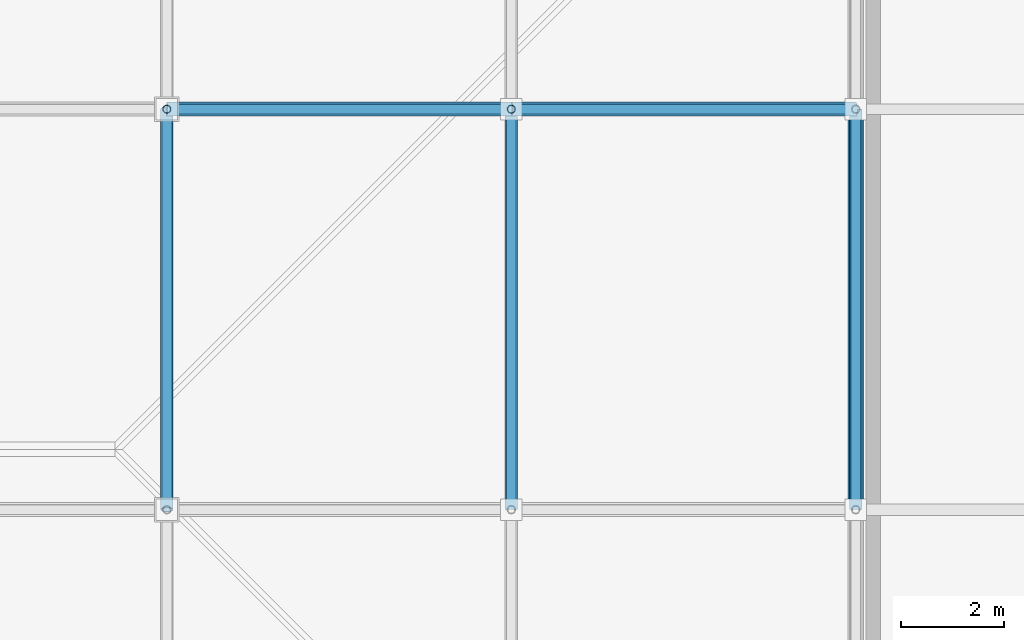
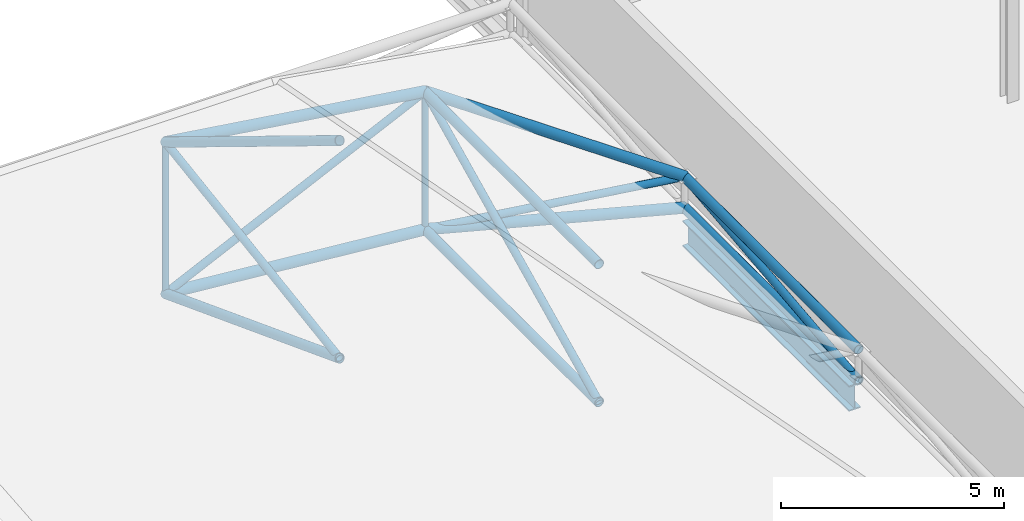
# One storey, part 35 of 77: 17 members, 1 beam.
"""IFC4 building model written with IfcOpenShell, lengths in metres."""

from ifc_helpers import new_model, si_unit, direction, frame, origin, origin_2d, place, context, subcontext, project, spatial, hollow_circle, i_section, extrude, material, material_profile, profile_set, type_object, element, save


model = new_model("IFC4")

# Units and contexts
model_context = context("Model", 3, precision=1e-05, world=origin(), true_north=direction((0.0, 1.0)))
body_context = subcontext(model_context, "Body", "Model", "MODEL_VIEW")
ifc_project = project(units=[si_unit("LENGTHUNIT", "METRE"), si_unit("AREAUNIT", "SQUARE_METRE"), si_unit("VOLUMEUNIT", "CUBIC_METRE"), si_unit("PLANEANGLEUNIT", "RADIAN"), si_unit("MASSUNIT", "GRAM", prefix="KILO")], contexts=[model_context])

# Site, building, storey
site_placement = place(None, origin())
site = spatial("IfcSite", under=ifc_project, at=site_placement, CompositionType="ELEMENT")
building_placement = place(site_placement, origin())
building = spatial("IfcBuilding", under=site, at=building_placement, Name="Nabrawat Pavilion Hospital", CompositionType="ELEMENT")
storey_placement = place(building_placement, frame((0.0, 0.0, 14.85009765625)))
storey = spatial("IfcBuildingStorey", under=building, at=storey_placement, Name="L03", CompositionType="ELEMENT", Elevation=14.85009765625)

# Beam
ifc_material = material(Name="Steel S355", Category="steel")
ifc_material_profile_1 = material_profile(ifc_material, i_section(OverallWidth=0.300048828125, OverallDepth=0.699951171875, WebThickness=0.01708984375, FlangeThickness=0.031982421875, FilletRadius=0.027099609375, at=origin_2d()), Name="HEB 700")
ifc_profile_set_1 = profile_set([ifc_material_profile_1], Name="Steel S355")
beam_type = type_object("IfcBeamType", Name="Main Hall Space-Frame Perimeter Ring Girder HEB 700", PredefinedType="USERDEFINED", material=ifc_profile_set_1)
beam_placement = place(storey_placement, frame((126.0, 23.5732421875, -0.60009765625), z_axis=(0.0, 1.0, 0.0), x_axis=(-1.0, 0.0, 0.0)))
element("IfcBeam", 1, at=beam_placement, inside=storey, type_object=beam_type, Name="L03 Main Hall Space-Frame Perimeter Ring Girder 1627", ObjectType="GIRDER", PredefinedType="USERDEFINED", context=body_context, shape_type="SweptSolid", body=[
    extrude(i_section(OverallWidth=0.300048828125, OverallDepth=0.699951171875, WebThickness=0.01708984375, FlangeThickness=0.031982421875, FilletRadius=0.027099609375, at=origin_2d()), origin(), (0.0, 0.0, 1.0), 7.45361328125),
])

# Members
ifc_material_profile_2 = material_profile(ifc_material, hollow_circle(Radius=0.136474609375, WallThickness=0.012451171875, at=origin_2d()), Name="CHS 273x12.5")
ifc_profile_set_2 = profile_set([ifc_material_profile_2], Name="Steel S355")
member_type_1 = type_object("IfcMemberType", Name="Space Frame Primary Chord CHS 273x12.5", PredefinedType="CHORD", material=ifc_profile_set_2)
member_1_placement = place(storey_placement, frame((112.583984375, 31.199951171875, 6.432861328125), z_axis=(0.989975419002, 0.0, -0.141239759881), x_axis=(0.0, 1.0, 0.0)))
element("IfcMember", 2, at=member_1_placement, inside=storey, type_object=member_type_1, Name="Space Frame Chord Top X 0215", PredefinedType="CHORD", context=body_context, shape_type="SweptSolid", body=[
    extrude(hollow_circle(Radius=0.136474609375, WallThickness=0.012451171875, at=origin_2d()), origin(), (0.0, 0.0, 1.0), 6.77587890625),
])
member_2_placement = place(storey_placement, frame((112.583984375, 31.199951171875, 2.298583984375), z_axis=(0.996108722562, 0.0, -0.088132927084), x_axis=(0.0, 1.0, 0.0)))
element("IfcMember", 3, at=member_2_placement, inside=storey, type_object=member_type_1, Name="Space Frame Chord Bottom X 0216", PredefinedType="CHORD", context=body_context, shape_type="SweptSolid", body=[
    extrude(hollow_circle(Radius=0.136474609375, WallThickness=0.012451171875, at=origin_2d()), origin(), (0.0, 0.0, 1.0), 6.734130859375),
])
member_3_placement = place(storey_placement, frame((119.2919921875, 31.199951171875, 5.475830078125), z_axis=(0.820355297851, 0.0, -0.571854164352), x_axis=(0.0, 1.0, 0.0)))
element("IfcMember", 4, at=member_3_placement, inside=storey, type_object=member_type_1, Name="Space Frame Chord Top X 0240", PredefinedType="CHORD", context=body_context, shape_type="SweptSolid", body=[
    extrude(hollow_circle(Radius=0.136474609375, WallThickness=0.012451171875, at=origin_2d()), origin(), (0.0, 0.0, 1.0), 8.177001953125),
])
member_4_placement = place(storey_placement, frame((119.2919921875, 31.199951171875, 1.705078125), z_axis=(0.967433425259, 0.0, -0.253125596673), x_axis=(0.0, 1.0, 0.0)))
element("IfcMember", 5, at=member_4_placement, inside=storey, type_object=member_type_1, Name="Space Frame Chord Bottom X 0241", PredefinedType="CHORD", context=body_context, shape_type="SweptSolid", body=[
    extrude(hollow_circle(Radius=0.136474609375, WallThickness=0.012451171875, at=origin_2d()), origin(), (0.0, 0.0, 1.0), 6.933837890625),
])
ifc_material_profile_3 = material_profile(ifc_material, hollow_circle(Radius=0.096923828125, WallThickness=0.010009765625, at=origin_2d()), Name="CHS 193.7x10")
ifc_profile_set_3 = profile_set([ifc_material_profile_3], Name="Steel S355")
member_type_2 = type_object("IfcMemberType", Name="Space Frame Primary Diagonal CHS 193.7x10", PredefinedType="BRACE", material=ifc_profile_set_3)
member_5_placement = place(storey_placement, frame((112.583984375, 23.39990234375, 5.260498046875), z_axis=(0.0, 0.988892492278, 0.148632562769), x_axis=(-1.0, 0.0, 0.0)))
element("IfcMember", 6, at=member_5_placement, inside=storey, type_object=member_type_2, Name="Space Frame Diagonal Web Y 0214", PredefinedType="BRACE", context=body_context, shape_type="SweptSolid", body=[
    extrude(hollow_circle(Radius=0.096923828125, WallThickness=0.010009765625, at=origin_2d()), origin(), (0.0, 0.0, 1.0), 7.8876953125),
])
member_6_placement = place(storey_placement, frame((112.583984375, 31.199951171875, 2.298583984375), z_axis=(0.903749894098, 0.0, 0.428060893936), x_axis=(0.0, 1.0, 0.0)))
element("IfcMember", 7, at=member_6_placement, inside=storey, type_object=member_type_2, Name="Space Frame Diagonal Web X 0220", PredefinedType="BRACE", context=body_context, shape_type="SweptSolid", body=[
    extrude(hollow_circle(Radius=0.096923828125, WallThickness=0.010009765625, at=origin_2d()), origin(), (0.0, 0.0, 1.0), 7.42236328125),
])
member_7_placement = place(storey_placement, frame((119.2919921875, 23.39990234375, 1.705078125), z_axis=(0.0, 0.900316011449, 0.435236808564), x_axis=(-1.0, 0.0, 0.0)))
element("IfcMember", 8, at=member_7_placement, inside=storey, type_object=member_type_2, Name="Space Frame Diagonal Web Y 0239", PredefinedType="BRACE", context=body_context, shape_type="SweptSolid", body=[
    extrude(hollow_circle(Radius=0.096923828125, WallThickness=0.010009765625, at=origin_2d()), origin(), (0.0, 0.0, 1.0), 8.66357421875),
])
member_8_placement = place(storey_placement, frame((119.2919921875, 31.199951171875, 1.705078125), z_axis=(0.991016218885, 0.0, -0.133741743326), x_axis=(0.0, 1.0, 0.0)))
element("IfcMember", 9, at=member_8_placement, inside=storey, type_object=member_type_2, Name="Space Frame Diagonal Web X 0245", PredefinedType="BRACE", context=body_context, shape_type="SweptSolid", body=[
    extrude(hollow_circle(Radius=0.096923828125, WallThickness=0.010009765625, at=origin_2d()), origin(), (0.0, 0.0, 1.0), 6.768798828125),
])
member_9_placement = place(storey_placement, frame((126.0, 23.39990234375, -0.050048828125), z_axis=(0.0, 0.994116744553, 0.108313887376), x_axis=(-1.0, 0.0, 0.0)))
element("IfcMember", 10, at=member_9_placement, inside=storey, type_object=member_type_2, Name="Space Frame Diagonal Web Y 0258", PredefinedType="BRACE", context=body_context, shape_type="SweptSolid", body=[
    extrude(hollow_circle(Radius=0.096923828125, WallThickness=0.010009765625, at=origin_2d()), origin(), (0.0, 0.0, 1.0), 7.84619140625),
])
ifc_material_profile_4 = material_profile(ifc_material, hollow_circle(Radius=0.122314453125, WallThickness=0.012451171875, at=origin_2d()), Name="CHS 244.5x12.5")
ifc_profile_set_4 = profile_set([ifc_material_profile_4], Name="Steel S355")
member_type_3 = type_object("IfcMemberType", Name="Space Frame Transverse Chord CHS 244.5x12.5", PredefinedType="CHORD", material=ifc_profile_set_4)
member_10_placement = place(storey_placement, frame((112.583984375, 23.39990234375, 11.2099609375), z_axis=(0.0, 0.852775367849, -0.522277868562), x_axis=(-1.0, 0.0, 0.0)))
element("IfcMember", 11, at=member_10_placement, inside=storey, type_object=member_type_3, Name="Space Frame Chord Top Y 0210", PredefinedType="CHORD", context=body_context, shape_type="SweptSolid", body=[
    extrude(hollow_circle(Radius=0.122314453125, WallThickness=0.012451171875, at=origin_2d()), origin(), (0.0, 0.0, 1.0), 9.146728515625),
])
member_11_placement = place(storey_placement, frame((112.583984375, 23.39990234375, 5.260498046875), z_axis=(0.0, 0.934867308635, -0.354997345406), x_axis=(-1.0, 0.0, 0.0)))
element("IfcMember", 12, at=member_11_placement, inside=storey, type_object=member_type_3, Name="Space Frame Chord Bottom Y 0211", PredefinedType="CHORD", context=body_context, shape_type="SweptSolid", body=[
    extrude(hollow_circle(Radius=0.122314453125, WallThickness=0.012451171875, at=origin_2d()), origin(), (0.0, 0.0, 1.0), 8.343505859375),
])
for number, where, z_axis, x_axis, name in (
    (13, (119.2919921875, 23.39990234375, 5.475830078125), (0.0, 1.0, 0.0), (-1.0, 0.0, 0.0), "Space Frame Chord Top Y 0235"),
    (14, (119.2919921875, 23.39990234375, 1.705078125), (0.0, 1.0, 0.0), (-1.0, 0.0, 0.0), "Space Frame Chord Bottom Y 0236"),
    (15, (126.0, 23.39990234375, 0.7998046875), (0.0, 1.0, 0.0), (-1.0, 0.0, 0.0), "Space Frame Chord Top Y 0255"),
    (16, (126.0, 23.39990234375, -0.050048828125), (0.0, 1.0, 0.0), (-1.0, 0.0, 0.0), "Space Frame Chord Bottom Y 0256"),
):
    element("IfcMember", number, at=place(storey_placement, frame(where, z_axis=z_axis, x_axis=x_axis)), inside=storey, type_object=member_type_3, Name=name, PredefinedType="CHORD", context=body_context, shape_type="SweptSolid", body=[
        extrude(hollow_circle(Radius=0.122314453125, WallThickness=0.012451171875, at=origin_2d()), origin(), (0.0, 0.0, 1.0), 7.800048828125),
    ])
ifc_material_profile_5 = material_profile(ifc_material, hollow_circle(Radius=0.07958984375, WallThickness=0.008056640625, at=origin_2d()), Name="CHS 159x8")
ifc_profile_set_5 = profile_set([ifc_material_profile_5], Name="Steel S355")
member_type_4 = type_object("IfcMemberType", Name="Space Frame Vertical Web Post CHS 159x8", PredefinedType="BRACE", material=ifc_profile_set_5)
member_12_placement = place(storey_placement, frame((112.583984375, 31.199951171875, 2.298583984375), z_axis=(0.0, 0.0, 1.0), x_axis=(1.0, 0.0, 0.0)))
element("IfcMember", 17, at=member_12_placement, inside=storey, type_object=member_type_4, Name="Space Frame Diagonal Post 0219", PredefinedType="BRACE", context=body_context, shape_type="SweptSolid", body=[
    extrude(hollow_circle(Radius=0.07958984375, WallThickness=0.008056640625, at=origin_2d()), origin(), (0.0, 0.0, 1.0), 4.13427734375),
])
member_13_placement = place(storey_placement, frame((119.2919921875, 31.199951171875, 1.705078125), z_axis=(0.0, 0.0, 1.0), x_axis=(1.0, 0.0, 0.0)))
element("IfcMember", 18, at=member_13_placement, inside=storey, type_object=member_type_4, Name="Space Frame Diagonal Post 0244", PredefinedType="BRACE", context=body_context, shape_type="SweptSolid", body=[
    extrude(hollow_circle(Radius=0.07958984375, WallThickness=0.008056640625, at=origin_2d()), origin(), (0.0, 0.0, 1.0), 3.770751953125),
])

save(model, "model.ifc")
